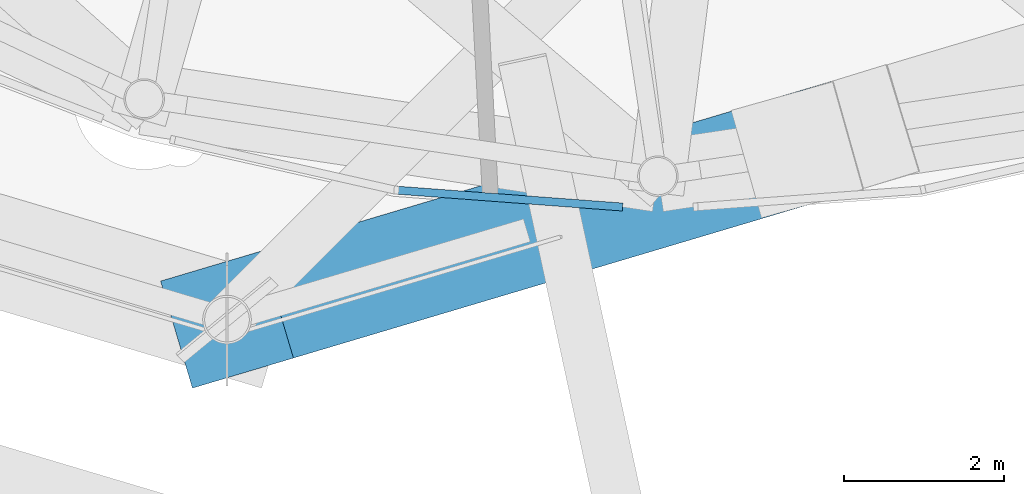
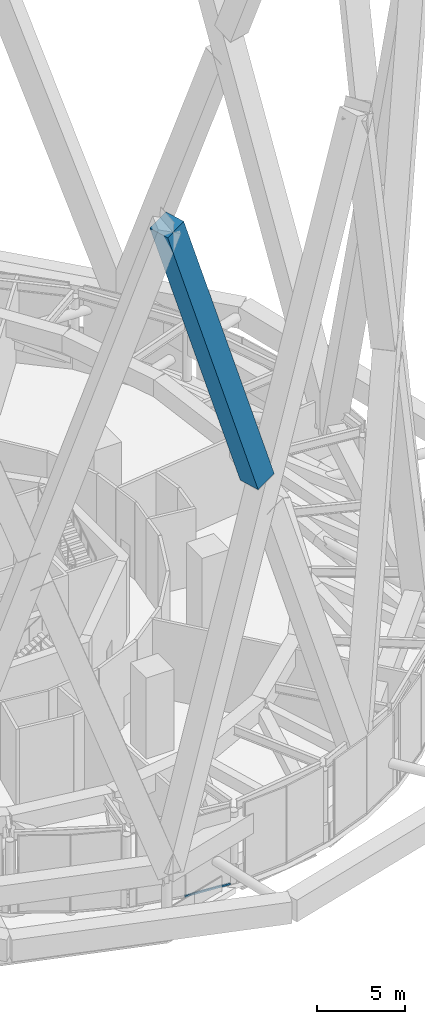
# One storey, part 13 of 60: 2 members, 1 element without a shape of its own.
"""IFC4 building model written with IfcOpenShell, lengths in metres."""

from ifc_helpers import new_model, si_unit, direction, frame, origin, origin_2d, place, context, subcontext, project, spatial, rectangle, extrude, material, layer, layer_set, material_profile, profile_set, type_object, element, aggregate, save


model = new_model("IFC4")

# Units and contexts
model_context = context("Model", 3, precision=1e-05, world=origin(), true_north=direction((0.0, 1.0)))
body_context = subcontext(model_context, "Body", "Model", "MODEL_VIEW")
ifc_project = project(units=[si_unit("LENGTHUNIT", "METRE"), si_unit("AREAUNIT", "SQUARE_METRE"), si_unit("VOLUMEUNIT", "CUBIC_METRE"), si_unit("PLANEANGLEUNIT", "RADIAN"), si_unit("MASSUNIT", "GRAM", prefix="KILO")], contexts=[model_context])

# Site, building, storey
site_placement = place(None, origin())
site = spatial("IfcSite", under=ifc_project, at=site_placement, CompositionType="ELEMENT")
building_placement = place(site_placement, origin())
building = spatial("IfcBuilding", under=site, at=building_placement, Name="Nagisa Residences", CompositionType="ELEMENT")
storey_placement = place(building_placement, frame((0.0, 0.0, 206.60009765625)))
storey = spatial("IfcBuildingStorey", under=building, at=storey_placement, Name="L52", CompositionType="ELEMENT", Elevation=206.60009765625)

# Curtain wall, member
ifc_material_1 = material(Name="Aluminium curtain wall system", Category="aluminium")
ifc_layer = layer(ifc_material_1, 0.159912109375)
ifc_layer_set = layer_set([ifc_layer], Name="CW5 CURTAIN WALL")
curtain_wall_type = type_object("IfcCurtainWallType", Name="CW5 CURTAIN WALL", PredefinedType="NOTDEFINED", material=ifc_layer_set)
curtain_wall_placement = place(storey_placement, origin())
curtain_wall = element("IfcCurtainWall", 1, at=curtain_wall_placement, inside=storey, type_object=curtain_wall_type, Name="cw:CW5:L52:35", PredefinedType="NOTDEFINED")
ifc_material_2 = material(Name="Aluminium", Category="aluminium")
ifc_material_profile_1 = material_profile(ifc_material_2, rectangle(XDim=0.10009765625, YDim=0.1201171875, at=origin_2d()), Name="CW5 TRANSOM 100x120")
ifc_profile_set_1 = profile_set([ifc_material_profile_1], Name="Aluminium")
member_type_1 = type_object("IfcMemberType", Name="CW5 TRANSOM 100x120", PredefinedType="USERDEFINED", material=ifc_profile_set_1)
member_1_placement = place(storey_placement, frame((0.2939453125, -28.548095703125, 0.059814453125), z_axis=(0.997228405197, -0.074400993737, 0.0), x_axis=(0.074400993737, 0.997228405197, 0.0)))
member_1 = element("IfcMember", 2, at=member_1_placement, type_object=member_type_1, Name="CW5 transom", ObjectType="TRANSOM", PredefinedType="USERDEFINED", context=body_context, shape_type="SweptSolid", body=[
    extrude(rectangle(XDim=0.10009765625, YDim=0.1201171875, at=origin_2d()), origin(), (0.0, 0.0, 1.0), 2.871337890625),
])
aggregate(curtain_wall, [member_1])

# Member
ifc_material_3 = material(Name="Concrete C80", Category="concrete")
ifc_material_profile_2 = material_profile(ifc_material_3, rectangle(XDim=1.39990234375, YDim=1.39990234375, at=origin_2d()), Name="C80 1400x1400")
ifc_profile_set_2 = profile_set([ifc_material_profile_2], Name="Concrete C80")
member_type_2 = type_object("IfcMemberType", Name="Cage diagonal 5 C80 1400x1400", PredefinedType="BRACE", material=ifc_profile_set_2)
member_2_placement = place(storey_placement, frame((5.34326171875, -28.046142578125, 26.98681640625), z_axis=(-0.317701827422, -0.094564585769, 0.943463347444), x_axis=(0.285282611713, -0.958443441969, 0.0)))
element("IfcMember", 3, at=member_2_placement, inside=storey, type_object=member_type_2, Name="mem:L52:cg5d020b", PredefinedType="BRACE", context=body_context, shape_type="SweptSolid", body=[
    extrude(rectangle(XDim=1.39990234375, YDim=1.39990234375, at=origin_2d()), origin(), (0.0, 0.0, 1.0), 22.484375),
])

save(model, "model.ifc")
